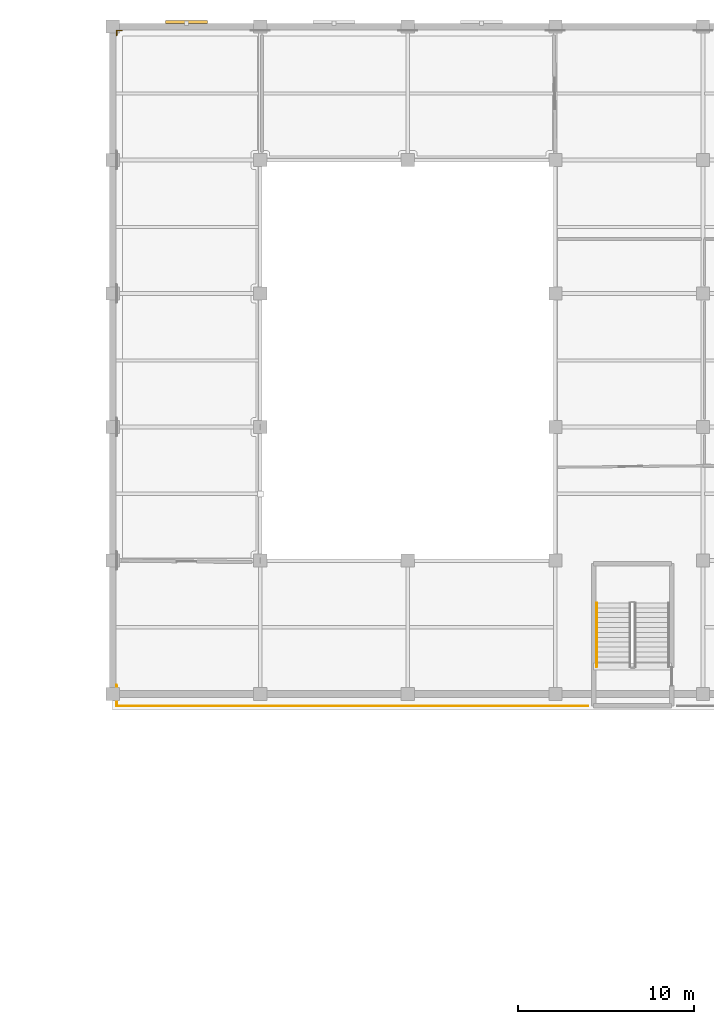
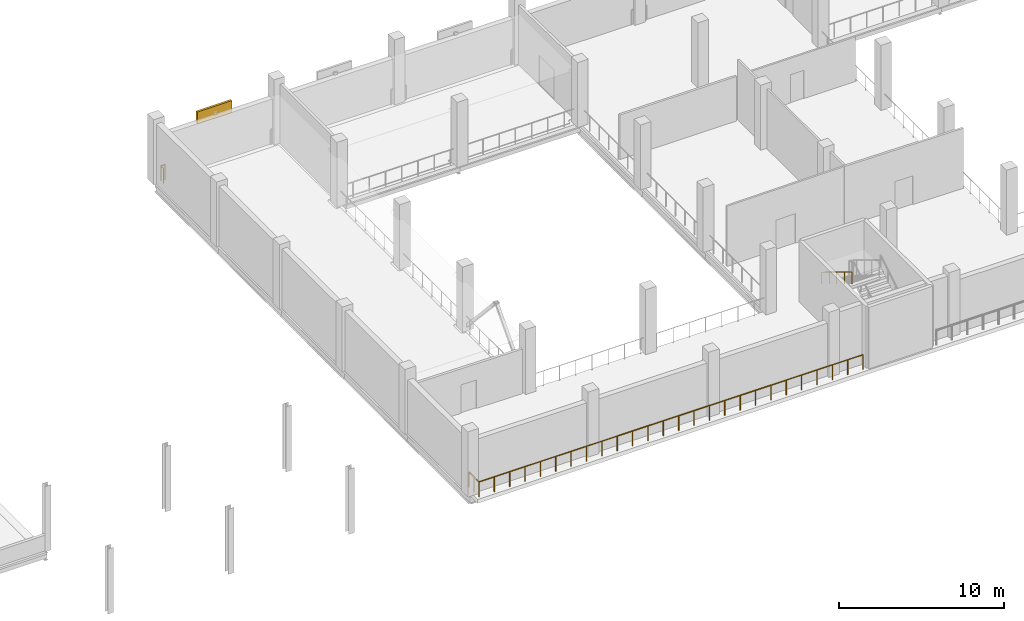
# One storey, part 44 of 51: 3 railings, 1 shading device.
"""IFC4 building model written with IfcOpenShell, lengths in metres."""

from ifc_helpers import new_model, si_unit, direction, frame, origin, origin_2d, place, context, subcontext, project, spatial, rectangle, circle, extrude, material, type_object, element, save


model = new_model("IFC4")

# Units and contexts
model_context = context("Model", 3, precision=1e-05, world=origin(), true_north=direction((0.0, 1.0)))
body_context = subcontext(model_context, "Body", "Model", "MODEL_VIEW")
ifc_project = project(units=[si_unit("LENGTHUNIT", "METRE"), si_unit("AREAUNIT", "SQUARE_METRE"), si_unit("VOLUMEUNIT", "CUBIC_METRE"), si_unit("PLANEANGLEUNIT", "RADIAN"), si_unit("MASSUNIT", "GRAM", prefix="KILO")], contexts=[model_context])

# Site, building, storey
site_placement = place(None, origin())
site = spatial("IfcSite", under=ifc_project, at=site_placement, CompositionType="ELEMENT")
building_placement = place(site_placement, origin())
building = spatial("IfcBuilding", under=site, at=building_placement, Name="Zuvorla Pavilion Media Centre", CompositionType="ELEMENT")
storey_placement = place(building_placement, frame((0.0, 0.0, 4.800048828125)))
storey = spatial("IfcBuildingStorey", under=building, at=storey_placement, Name="L01", CompositionType="ELEMENT", Elevation=4.800048828125)

# Railings
ifc_material_1 = material(Name="Powder-coated steel balustrade guard", Category="steel")
railing_type_1 = type_object("IfcRailingType", Name="RL-INT-GRD", PredefinedType="BALUSTRADE", material=ifc_material_1)
railing_1_placement = place(storey_placement, frame((93.840087890625, 81.320068359375, 0.0)))
element("IfcRailing", 1, at=railing_1_placement, inside=storey, type_object=railing_type_1, Name="L01 slab edge guard 45", PredefinedType="BALUSTRADE", context=body_context, shape_type="SweptSolid", body=[
    extrude(circle(Radius=0.02392578125, at=origin_2d()), frame((-0.02880859375, 0.0, 1.09619140625), z_axis=(-1.0, 0.0, 0.0), x_axis=(0.0, -1.0, 0.0)), (0.0, 0.0, 1.0), 26.762451171875),
    extrude(circle(Radius=0.02392578125, at=origin_2d()), frame((-26.820068359375, 0.02880859375, 1.09619140625), z_axis=(0.0, 1.0, 0.0), x_axis=(-1.0, 0.0, 0.0)), (0.0, 0.0, 1.0), 1.13720703125),
    extrude(circle(Radius=0.02099609375, at=origin_2d()), origin(), (0.0, 0.0, 1.0), 1.070068359375),
    extrude(circle(Radius=0.02099609375, at=origin_2d()), frame((-1.07275390625, 0.0, 0.0)), (0.0, 0.0, 1.0), 1.070068359375),
    extrude(circle(Radius=0.02099609375, at=origin_2d()), frame((-2.1455078125, 0.0, 0.0)), (0.0, 0.0, 1.0), 1.070068359375),
    extrude(circle(Radius=0.02099609375, at=origin_2d()), frame((-3.218505859375, 0.0, 0.0)), (0.0, 0.0, 1.0), 1.070068359375),
    extrude(circle(Radius=0.02099609375, at=origin_2d()), frame((-4.291259765625, 0.0, 0.0)), (0.0, 0.0, 1.0), 1.070068359375),
    extrude(circle(Radius=0.02099609375, at=origin_2d()), frame((-5.364013671875, 0.0, 0.0)), (0.0, 0.0, 1.0), 1.070068359375),
    extrude(circle(Radius=0.02099609375, at=origin_2d()), frame((-6.436767578125, 0.0, 0.0)), (0.0, 0.0, 1.0), 1.070068359375),
    extrude(circle(Radius=0.02099609375, at=origin_2d()), frame((-7.509521484375, 0.0, 0.0)), (0.0, 0.0, 1.0), 1.070068359375),
    extrude(circle(Radius=0.02099609375, at=origin_2d()), frame((-8.58251953125, 0.0, 0.0)), (0.0, 0.0, 1.0), 1.070068359375),
    extrude(circle(Radius=0.02099609375, at=origin_2d()), frame((-9.6552734375, 0.0, 0.0)), (0.0, 0.0, 1.0), 1.070068359375),
    extrude(circle(Radius=0.02099609375, at=origin_2d()), frame((-10.72802734375, 0.0, 0.0)), (0.0, 0.0, 1.0), 1.070068359375),
    extrude(circle(Radius=0.02099609375, at=origin_2d()), frame((-11.80078125, 0.0, 0.0)), (0.0, 0.0, 1.0), 1.070068359375),
    extrude(circle(Radius=0.02099609375, at=origin_2d()), frame((-12.87353515625, 0.0, 0.0)), (0.0, 0.0, 1.0), 1.070068359375),
    extrude(circle(Radius=0.02099609375, at=origin_2d()), frame((-13.946533203125, 0.0, 0.0)), (0.0, 0.0, 1.0), 1.070068359375),
    extrude(circle(Radius=0.02099609375, at=origin_2d()), frame((-15.019287109375, 0.0, 0.0)), (0.0, 0.0, 1.0), 1.070068359375),
    extrude(circle(Radius=0.02099609375, at=origin_2d()), frame((-16.092041015625, 0.0, 0.0)), (0.0, 0.0, 1.0), 1.070068359375),
    extrude(circle(Radius=0.02099609375, at=origin_2d()), frame((-17.164794921875, 0.0, 0.0)), (0.0, 0.0, 1.0), 1.070068359375),
    extrude(circle(Radius=0.02099609375, at=origin_2d()), frame((-18.237548828125, 0.0, 0.0)), (0.0, 0.0, 1.0), 1.070068359375),
    extrude(circle(Radius=0.02099609375, at=origin_2d()), frame((-19.310546875, 0.0, 0.0)), (0.0, 0.0, 1.0), 1.070068359375),
    extrude(circle(Radius=0.02099609375, at=origin_2d()), frame((-20.38330078125, 0.0, 0.0)), (0.0, 0.0, 1.0), 1.070068359375),
    extrude(circle(Radius=0.02099609375, at=origin_2d()), frame((-21.4560546875, 0.0, 0.0)), (0.0, 0.0, 1.0), 1.070068359375),
    extrude(circle(Radius=0.02099609375, at=origin_2d()), frame((-22.52880859375, 0.0, 0.0)), (0.0, 0.0, 1.0), 1.070068359375),
    extrude(circle(Radius=0.02099609375, at=origin_2d()), frame((-23.6015625, 0.0, 0.0)), (0.0, 0.0, 1.0), 1.070068359375),
    extrude(circle(Radius=0.02099609375, at=origin_2d()), frame((-24.674560546875, 0.0, 0.0)), (0.0, 0.0, 1.0), 1.070068359375),
    extrude(circle(Radius=0.02099609375, at=origin_2d()), frame((-25.747314453125, 0.0, 0.0)), (0.0, 0.0, 1.0), 1.070068359375),
    extrude(circle(Radius=0.02099609375, at=origin_2d()), frame((-26.820068359375, 0.0, 0.0)), (0.0, 0.0, 1.0), 1.070068359375),
    extrude(circle(Radius=0.02099609375, at=origin_2d()), frame((-26.820068359375, 0.597412109375, 0.0)), (0.0, 0.0, 1.0), 1.070068359375),
    extrude(circle(Radius=0.02099609375, at=origin_2d()), frame((-26.820068359375, 1.19482421875, 0.0)), (0.0, 0.0, 1.0), 1.070068359375),
])
railing_2_placement = place(storey_placement, frame((67.02001953125, 119.485107421875, 0.0)))
element("IfcRailing", 2, at=railing_2_placement, inside=storey, type_object=railing_type_1, Name="L01 slab edge guard 50", PredefinedType="BALUSTRADE", context=body_context, shape_type="SweptSolid", body=[
    extrude(circle(Radius=0.02392578125, at=origin_2d()), frame((0.0, 0.02880859375, 1.09619140625), z_axis=(0.0, 1.0, 0.0), x_axis=(-1.0, 0.0, 0.0)), (0.0, 0.0, 1.0), 0.2373046875),
    extrude(circle(Radius=0.02392578125, at=origin_2d()), frame((0.02880859375, 0.294921875, 1.09619140625), z_axis=(1.0, 0.0, 0.0), x_axis=(0.0, 1.0, 0.0)), (0.0, 0.0, 1.0), 0.2373046875),
    extrude(circle(Radius=0.02099609375, at=origin_2d()), origin(), (0.0, 0.0, 1.0), 1.070068359375),
    extrude(circle(Radius=0.02099609375, at=origin_2d()), frame((0.0, 0.294921875, 0.0)), (0.0, 0.0, 1.0), 1.070068359375),
    extrude(circle(Radius=0.02099609375, at=origin_2d()), frame((0.294921875, 0.294921875, 0.0)), (0.0, 0.0, 1.0), 1.070068359375),
])
ifc_material_2 = material(Name="Brushed stainless steel tubular handrail", Category="steel")
railing_type_2 = type_object("IfcRailingType", Name="RL-INT-HND", PredefinedType="HANDRAIL", material=ifc_material_2)
railing_3_placement = place(storey_placement, frame((94.35009765625, 87.18994140625, 2.5712890625)))
element("IfcRailing", 3, at=railing_3_placement, inside=storey, type_object=railing_type_2, Name="L01 ST-05 handrail 2", PredefinedType="HANDRAIL", context=body_context, shape_type="SweptSolid", body=[
    extrude(circle(Radius=0.02392578125, at=origin_2d()), frame((0.0, -0.024658203125, 0.890869140625), z_axis=(0.0, -0.852824790078, 0.522197163366), x_axis=(1.0, 0.0, 0.0)), (0.0, 0.0, 1.0), 4.21044921875),
    extrude(circle(Radius=0.02099609375, at=origin_2d()), origin(), (0.0, 0.0, 1.0), 0.849853515625),
    extrude(circle(Radius=0.02099609375, at=origin_2d()), frame((0.0, -0.909912109375, 0.55712890625)), (0.0, 0.0, 1.0), 0.849853515625),
    extrude(circle(Radius=0.02099609375, at=origin_2d()), frame((0.0, -1.81982421875, 1.1142578125)), (0.0, 0.0, 1.0), 0.849853515625),
    extrude(circle(Radius=0.02099609375, at=origin_2d()), frame((0.0, -2.72998046875, 1.671630859375)), (0.0, 0.0, 1.0), 0.849853515625),
    extrude(circle(Radius=0.02099609375, at=origin_2d()), frame((0.0, -3.639892578125, 2.228759765625)), (0.0, 0.0, 1.0), 0.849853515625),
])

# Shading device
ifc_material_3 = material(Name="Anodised aluminium acoustic weather louvre", Category="aluminium")
shading_device_type = type_object("IfcShadingDeviceType", Name="SHD-LVR-ALU", PredefinedType="USERDEFINED", material=ifc_material_3)
shading_device_placement = place(storey_placement, frame((71.0, 120.260009765625, 2.949951171875), z_axis=(0.0, 0.0, 1.0), x_axis=(1.0, 0.0, 0.0)))
element("IfcShadingDevice", 4, at=shading_device_placement, inside=storey, type_object=shading_device_type, Name="L01 acoustic plant louvre 1", ObjectType="LOUVRE", PredefinedType="USERDEFINED", context=body_context, shape_type="SweptSolid", body=[
    extrude(rectangle(XDim=2.39990234375, YDim=0.14990234375, at=origin_2d()), origin(), (0.0, 0.0, 1.0), 0.89990234375),
])

save(model, "model.ifc")
